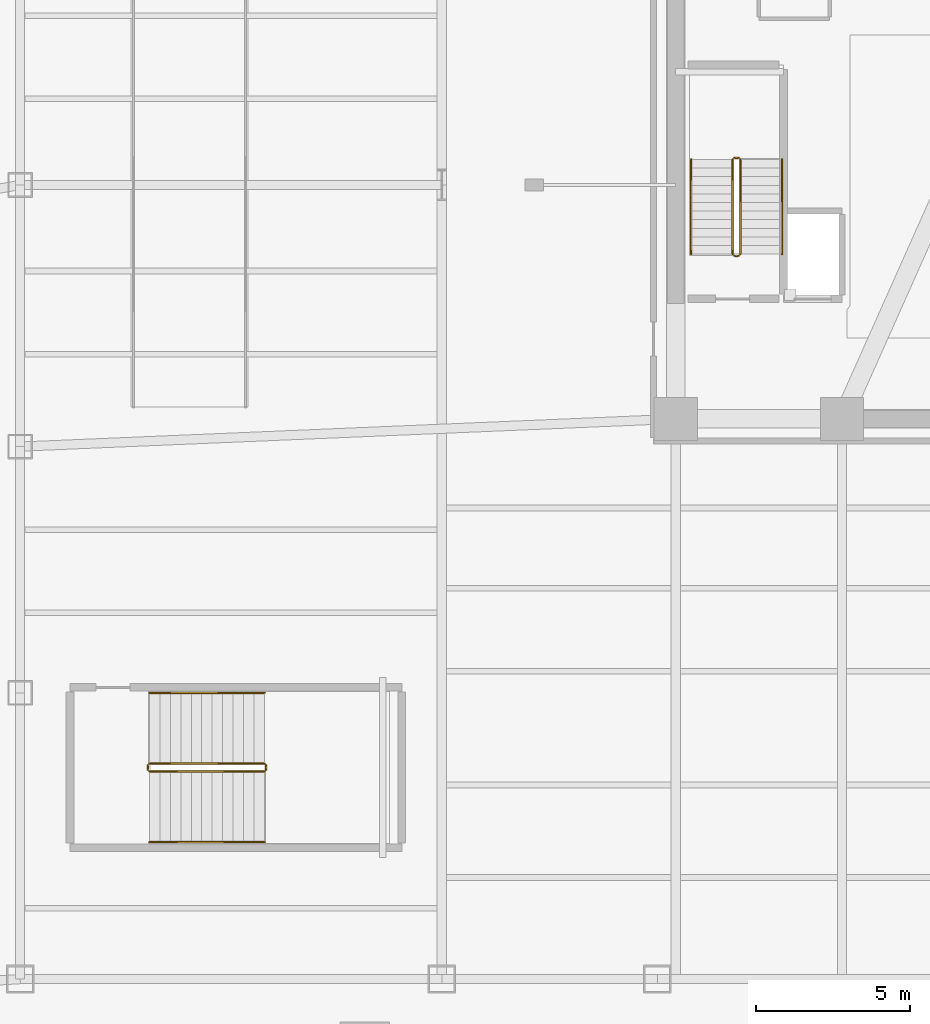
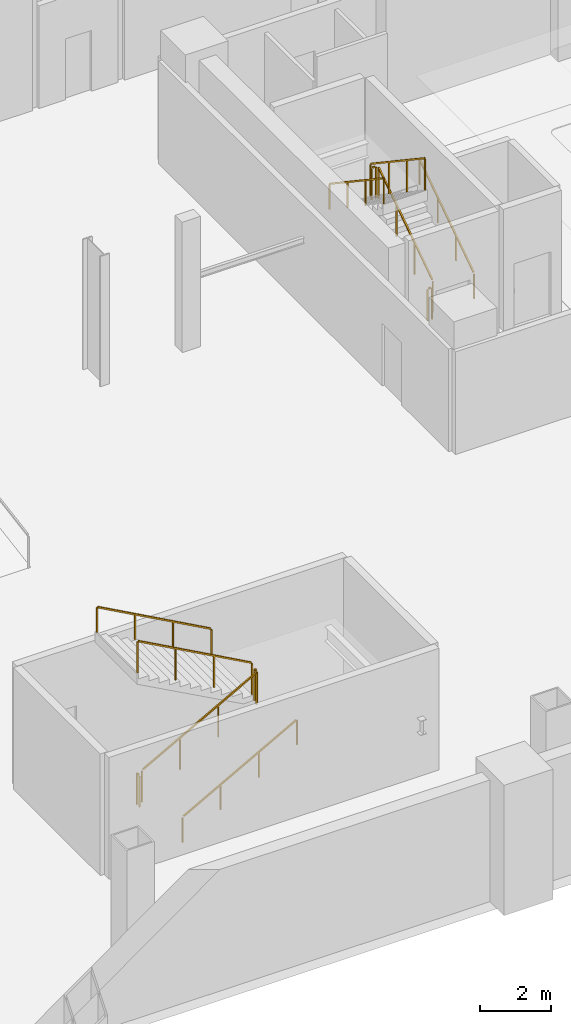
# One storey, part 11 of 14: 12 railings.
"""IFC4 building model written with IfcOpenShell, lengths in metres."""

from ifc_helpers import new_model, si_unit, direction, frame, origin, origin_2d, place, context, subcontext, project, spatial, rectangle, extrude, material, type_object, element, save


model = new_model("IFC4")

# Units and contexts
model_context = context("Model", 3, precision=1e-05, world=origin(), true_north=direction((0.0, 1.0)))
body_context = subcontext(model_context, "Body", "Model", "MODEL_VIEW")
ifc_project = project(units=[si_unit("LENGTHUNIT", "METRE"), si_unit("AREAUNIT", "SQUARE_METRE"), si_unit("VOLUMEUNIT", "CUBIC_METRE"), si_unit("PLANEANGLEUNIT", "RADIAN"), si_unit("MASSUNIT", "GRAM", prefix="KILO")], contexts=[model_context])

# Site, building, storey
site_placement = place(None, origin())
site = spatial("IfcSite", under=ifc_project, at=site_placement, CompositionType="ELEMENT")
building_placement = place(site_placement, origin())
building = spatial("IfcBuilding", under=site, at=building_placement, Name="Tharavind Bronze Gate", CompositionType="ELEMENT")
storey_placement = place(building_placement, frame((0.0, 0.0, -4.5)))
storey = spatial("IfcBuildingStorey", under=building, at=storey_placement, Name="B01", CompositionType="ELEMENT", Elevation=-4.5)

# Railings
ifc_material = material(Name="Brushed Bronze Alloy", Category="metal")
railing_type_1 = type_object("IfcRailingType", Name="STAIR BRONZE HANDRAIL 900", PredefinedType="HANDRAIL", material=ifc_material)
railing_1_placement = place(storey_placement, frame((-5.449951171875, -2.25, 0.1875)))
element("IfcRailing", 1, at=railing_1_placement, inside=storey, type_object=railing_type_1, Name="B01 ST1 stair handrail 1", PredefinedType="HANDRAIL", context=body_context, shape_type="SweptSolid", body=[
    extrude(rectangle(XDim=0.048095703125, YDim=0.048095703125, at=origin_2d()), frame((0.0, 0.026611328125, 0.8935546875), z_axis=(0.0, 0.830913701846, 0.55640131208), x_axis=(-1.0, 0.0, 0.0)), (0.0, 0.0, 1.0), 3.642822265625),
    extrude(rectangle(XDim=0.0400390625, YDim=0.0400390625, at=origin_2d()), origin(), (0.0, 0.0, 1.0), 0.847900390625),
    extrude(rectangle(XDim=0.0400390625, YDim=0.0400390625, at=origin_2d()), frame((0.0, 1.026611328125, 0.6875)), (0.0, 0.0, 1.0), 0.847900390625),
    extrude(rectangle(XDim=0.0400390625, YDim=0.0400390625, at=origin_2d()), frame((0.0, 2.053466796875, 1.375)), (0.0, 0.0, 1.0), 0.847900390625),
    extrude(rectangle(XDim=0.0400390625, YDim=0.0400390625, at=origin_2d()), frame((0.0, 3.080078125, 2.0625)), (0.0, 0.0, 1.0), 0.847900390625),
])
railing_2_placement = place(storey_placement, frame((-8.39990234375, 0.830078125, 2.4375)))
element("IfcRailing", 2, at=railing_2_placement, inside=storey, type_object=railing_type_1, Name="B01 ST1 stair handrail 2", PredefinedType="HANDRAIL", context=body_context, shape_type="SweptSolid", body=[
    extrude(rectangle(XDim=0.048095703125, YDim=0.048095703125, at=origin_2d()), frame((0.0, -0.026611328125, 0.8935546875), z_axis=(0.0, -0.830913701846, 0.55640131208), x_axis=(1.0, 0.0, 0.0)), (0.0, 0.0, 1.0), 3.642822265625),
    extrude(rectangle(XDim=0.0400390625, YDim=0.0400390625, at=origin_2d()), origin(), (0.0, 0.0, 1.0), 0.847900390625),
    extrude(rectangle(XDim=0.0400390625, YDim=0.0400390625, at=origin_2d()), frame((0.0, -1.026611328125, 0.6875)), (0.0, 0.0, 1.0), 0.847900390625),
    extrude(rectangle(XDim=0.0400390625, YDim=0.0400390625, at=origin_2d()), frame((0.0, -2.053466796875, 1.375)), (0.0, 0.0, 1.0), 0.847900390625),
    extrude(rectangle(XDim=0.0400390625, YDim=0.0400390625, at=origin_2d()), frame((0.0, -3.080078125, 2.0625)), (0.0, 0.0, 1.0), 0.847900390625),
])
railing_3_placement = place(storey_placement, frame((-26.0, -21.35009765625, 0.1875)))
element("IfcRailing", 3, at=railing_3_placement, inside=storey, type_object=railing_type_1, Name="B01 ST3 stair handrail 1", PredefinedType="HANDRAIL", context=body_context, shape_type="SweptSolid", body=[
    extrude(rectangle(XDim=0.048095703125, YDim=0.048095703125, at=origin_2d()), frame((0.028076171875, 0.0, 0.891357421875), z_axis=(0.875671045107, 0.0, 0.482908087281), x_axis=(0.0, 1.0, 0.0)), (0.0, 0.0, 1.0), 4.20703125),
    extrude(rectangle(XDim=0.0400390625, YDim=0.0400390625, at=origin_2d()), origin(), (0.0, 0.0, 1.0), 0.847900390625),
    extrude(rectangle(XDim=0.0400390625, YDim=0.0400390625, at=origin_2d()), frame((1.24658203125, 0.0, 0.6875)), (0.0, 0.0, 1.0), 0.847900390625),
    extrude(rectangle(XDim=0.0400390625, YDim=0.0400390625, at=origin_2d()), frame((2.493408203125, 0.0, 1.375)), (0.0, 0.0, 1.0), 0.847900390625),
    extrude(rectangle(XDim=0.0400390625, YDim=0.0400390625, at=origin_2d()), frame((3.739990234375, 0.0, 2.0625)), (0.0, 0.0, 1.0), 0.847900390625),
])
railing_4_placement = place(storey_placement, frame((-22.260009765625, -16.5, 2.4375)))
element("IfcRailing", 4, at=railing_4_placement, inside=storey, type_object=railing_type_1, Name="B01 ST3 stair handrail 2", PredefinedType="HANDRAIL", context=body_context, shape_type="SweptSolid", body=[
    extrude(rectangle(XDim=0.048095703125, YDim=0.048095703125, at=origin_2d()), frame((-0.028076171875, 0.0, 0.891357421875), z_axis=(-0.875671045107, 0.0, 0.482908087281), x_axis=(0.0, -1.0, 0.0)), (0.0, 0.0, 1.0), 4.20703125),
    extrude(rectangle(XDim=0.0400390625, YDim=0.0400390625, at=origin_2d()), origin(), (0.0, 0.0, 1.0), 0.847900390625),
    extrude(rectangle(XDim=0.0400390625, YDim=0.0400390625, at=origin_2d()), frame((-1.24658203125, 0.0, 0.6875)), (0.0, 0.0, 1.0), 0.847900390625),
    extrude(rectangle(XDim=0.0400390625, YDim=0.0400390625, at=origin_2d()), frame((-2.493408203125, 0.0, 1.375)), (0.0, 0.0, 1.0), 0.847900390625),
    extrude(rectangle(XDim=0.0400390625, YDim=0.0400390625, at=origin_2d()), frame((-3.739990234375, 0.0, 2.0625)), (0.0, 0.0, 1.0), 0.847900390625),
])
railing_type_2 = type_object("IfcRailingType", Name="STAIR WELL GUARD RAILING 1120", PredefinedType="GUARDRAIL", material=ifc_material)
railing_5_placement = place(storey_placement, frame((-6.800048828125, -2.25, 0.1875)))
element("IfcRailing", 5, at=railing_5_placement, inside=storey, type_object=railing_type_2, Name="B01 ST1 stair guard 1", PredefinedType="GUARDRAIL", context=body_context, shape_type="SweptSolid", body=[
    extrude(rectangle(XDim=0.048095703125, YDim=0.048095703125, at=origin_2d()), frame((0.0, 0.026611328125, 1.11376953125), z_axis=(0.0, 0.830913701846, 0.55640131208), x_axis=(-1.0, 0.0, 0.0)), (0.0, 0.0, 1.0), 3.642822265625),
    extrude(rectangle(XDim=0.0400390625, YDim=0.0400390625, at=origin_2d()), origin(), (0.0, 0.0, 1.0), 1.068115234375),
    extrude(rectangle(XDim=0.0400390625, YDim=0.0400390625, at=origin_2d()), frame((0.0, 1.026611328125, 0.6875)), (0.0, 0.0, 1.0), 1.068115234375),
    extrude(rectangle(XDim=0.0400390625, YDim=0.0400390625, at=origin_2d()), frame((0.0, 2.053466796875, 1.375)), (0.0, 0.0, 1.0), 1.068115234375),
    extrude(rectangle(XDim=0.0400390625, YDim=0.0400390625, at=origin_2d()), frame((0.0, 3.080078125, 2.0625)), (0.0, 0.0, 1.0), 1.068115234375),
])
railing_6_placement = place(storey_placement, frame((-6.85009765625, 0.8798828125, 2.25)))
element("IfcRailing", 6, at=railing_6_placement, inside=storey, type_object=railing_type_2, Name="B01 ST1 stair guard 2", PredefinedType="GUARDRAIL", context=body_context, shape_type="SweptSolid", body=[
    extrude(rectangle(XDim=0.048095703125, YDim=0.048095703125, at=origin_2d()), frame((-0.031982421875, 0.0, 1.09619140625), z_axis=(-1.0, 0.0, 0.0), x_axis=(0.0, -1.0, 0.0)), (0.0, 0.0, 1.0), 0.0859375),
    extrude(rectangle(XDim=0.0400390625, YDim=0.0400390625, at=origin_2d()), origin(), (0.0, 0.0, 1.0), 1.068115234375),
    extrude(rectangle(XDim=0.0400390625, YDim=0.0400390625, at=origin_2d()), frame((-0.14990234375, 0.0, 0.0)), (0.0, 0.0, 1.0), 1.068115234375),
])
railing_7_placement = place(storey_placement, frame((-7.050048828125, 0.830078125, 2.4375)))
element("IfcRailing", 7, at=railing_7_placement, inside=storey, type_object=railing_type_2, Name="B01 ST1 stair guard 3", PredefinedType="GUARDRAIL", context=body_context, shape_type="SweptSolid", body=[
    extrude(rectangle(XDim=0.048095703125, YDim=0.048095703125, at=origin_2d()), frame((0.0, -0.026611328125, 1.11376953125), z_axis=(0.0, -0.830913701846, 0.55640131208), x_axis=(1.0, 0.0, 0.0)), (0.0, 0.0, 1.0), 3.642822265625),
    extrude(rectangle(XDim=0.0400390625, YDim=0.0400390625, at=origin_2d()), origin(), (0.0, 0.0, 1.0), 1.068115234375),
    extrude(rectangle(XDim=0.0400390625, YDim=0.0400390625, at=origin_2d()), frame((0.0, -1.026611328125, 0.6875)), (0.0, 0.0, 1.0), 1.068115234375),
    extrude(rectangle(XDim=0.0400390625, YDim=0.0400390625, at=origin_2d()), frame((0.0, -2.053466796875, 1.375)), (0.0, 0.0, 1.0), 1.068115234375),
    extrude(rectangle(XDim=0.0400390625, YDim=0.0400390625, at=origin_2d()), frame((0.0, -3.080078125, 2.0625)), (0.0, 0.0, 1.0), 1.068115234375),
])
railing_8_placement = place(storey_placement, frame((-6.85009765625, -2.300048828125, 0.0)))
element("IfcRailing", 8, at=railing_8_placement, inside=storey, type_object=railing_type_2, Name="B01 ST1 stair guard 4", PredefinedType="GUARDRAIL", context=body_context, shape_type="SweptSolid", body=[
    extrude(rectangle(XDim=0.048095703125, YDim=0.048095703125, at=origin_2d()), frame((-0.031982421875, 0.0, 1.09619140625), z_axis=(-1.0, 0.0, 0.0), x_axis=(0.0, -1.0, 0.0)), (0.0, 0.0, 1.0), 0.0859375),
    extrude(rectangle(XDim=0.0400390625, YDim=0.0400390625, at=origin_2d()), origin(), (0.0, 0.0, 1.0), 1.068115234375),
    extrude(rectangle(XDim=0.0400390625, YDim=0.0400390625, at=origin_2d()), frame((-0.14990234375, 0.0, 0.0)), (0.0, 0.0, 1.0), 1.068115234375),
])
railing_9_placement = place(storey_placement, frame((-26.0, -19.050048828125, 0.1875)))
element("IfcRailing", 9, at=railing_9_placement, inside=storey, type_object=railing_type_2, Name="B01 ST3 stair guard 1", PredefinedType="GUARDRAIL", context=body_context, shape_type="SweptSolid", body=[
    extrude(rectangle(XDim=0.048095703125, YDim=0.048095703125, at=origin_2d()), frame((0.028076171875, 0.0, 1.111572265625), z_axis=(0.875671045107, 0.0, 0.482908087281), x_axis=(0.0, 1.0, 0.0)), (0.0, 0.0, 1.0), 4.20703125),
    extrude(rectangle(XDim=0.0400390625, YDim=0.0400390625, at=origin_2d()), origin(), (0.0, 0.0, 1.0), 1.068115234375),
    extrude(rectangle(XDim=0.0400390625, YDim=0.0400390625, at=origin_2d()), frame((1.24658203125, 0.0, 0.6875)), (0.0, 0.0, 1.0), 1.068115234375),
    extrude(rectangle(XDim=0.0400390625, YDim=0.0400390625, at=origin_2d()), frame((2.493408203125, 0.0, 1.375)), (0.0, 0.0, 1.0), 1.068115234375),
    extrude(rectangle(XDim=0.0400390625, YDim=0.0400390625, at=origin_2d()), frame((3.739990234375, 0.0, 2.0625)), (0.0, 0.0, 1.0), 1.068115234375),
])
railing_10_placement = place(storey_placement, frame((-22.2099609375, -19.0, 2.25)))
element("IfcRailing", 10, at=railing_10_placement, inside=storey, type_object=railing_type_2, Name="B01 ST3 stair guard 2", PredefinedType="GUARDRAIL", context=body_context, shape_type="SweptSolid", body=[
    extrude(rectangle(XDim=0.048095703125, YDim=0.048095703125, at=origin_2d()), frame((0.0, 0.031982421875, 1.09619140625), z_axis=(0.0, 1.0, 0.0), x_axis=(-1.0, 0.0, 0.0)), (0.0, 0.0, 1.0), 0.0859375),
    extrude(rectangle(XDim=0.0400390625, YDim=0.0400390625, at=origin_2d()), origin(), (0.0, 0.0, 1.0), 1.068115234375),
    extrude(rectangle(XDim=0.0400390625, YDim=0.0400390625, at=origin_2d()), frame((0.0, 0.14990234375, 0.0)), (0.0, 0.0, 1.0), 1.068115234375),
])
railing_11_placement = place(storey_placement, frame((-22.260009765625, -18.800048828125, 2.4375)))
element("IfcRailing", 11, at=railing_11_placement, inside=storey, type_object=railing_type_2, Name="B01 ST3 stair guard 3", PredefinedType="GUARDRAIL", context=body_context, shape_type="SweptSolid", body=[
    extrude(rectangle(XDim=0.048095703125, YDim=0.048095703125, at=origin_2d()), frame((-0.028076171875, 0.0, 1.111572265625), z_axis=(-0.875671045107, 0.0, 0.482908087281), x_axis=(0.0, -1.0, 0.0)), (0.0, 0.0, 1.0), 4.20703125),
    extrude(rectangle(XDim=0.0400390625, YDim=0.0400390625, at=origin_2d()), origin(), (0.0, 0.0, 1.0), 1.068115234375),
    extrude(rectangle(XDim=0.0400390625, YDim=0.0400390625, at=origin_2d()), frame((-1.24658203125, 0.0, 0.6875)), (0.0, 0.0, 1.0), 1.068115234375),
    extrude(rectangle(XDim=0.0400390625, YDim=0.0400390625, at=origin_2d()), frame((-2.493408203125, 0.0, 1.375)), (0.0, 0.0, 1.0), 1.068115234375),
    extrude(rectangle(XDim=0.0400390625, YDim=0.0400390625, at=origin_2d()), frame((-3.739990234375, 0.0, 2.0625)), (0.0, 0.0, 1.0), 1.068115234375),
])
railing_12_placement = place(storey_placement, frame((-26.050048828125, -19.0, 0.0)))
element("IfcRailing", 12, at=railing_12_placement, inside=storey, type_object=railing_type_2, Name="B01 ST3 stair guard 4", PredefinedType="GUARDRAIL", context=body_context, shape_type="SweptSolid", body=[
    extrude(rectangle(XDim=0.048095703125, YDim=0.048095703125, at=origin_2d()), frame((0.0, 0.031982421875, 1.09619140625), z_axis=(0.0, 1.0, 0.0), x_axis=(-1.0, 0.0, 0.0)), (0.0, 0.0, 1.0), 0.0859375),
    extrude(rectangle(XDim=0.0400390625, YDim=0.0400390625, at=origin_2d()), origin(), (0.0, 0.0, 1.0), 1.068115234375),
    extrude(rectangle(XDim=0.0400390625, YDim=0.0400390625, at=origin_2d()), frame((0.0, 0.14990234375, 0.0)), (0.0, 0.0, 1.0), 1.068115234375),
])

save(model, "model.ifc")
